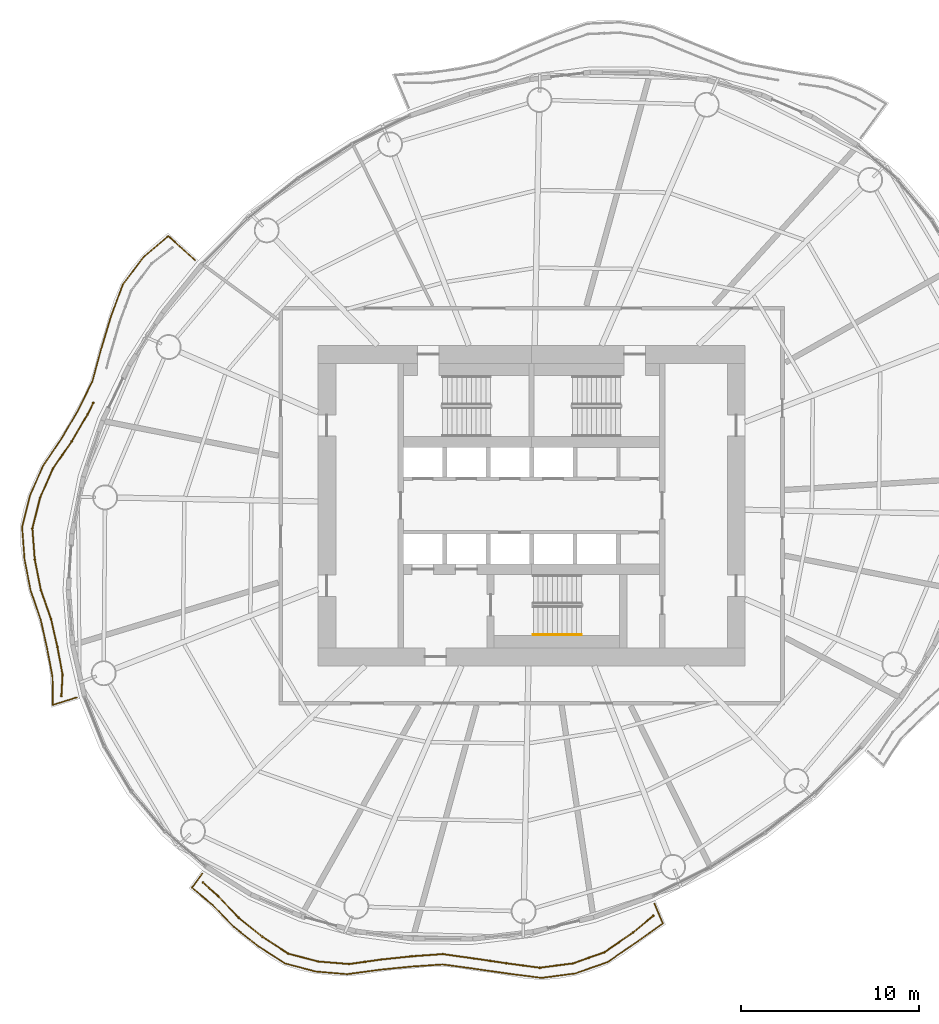
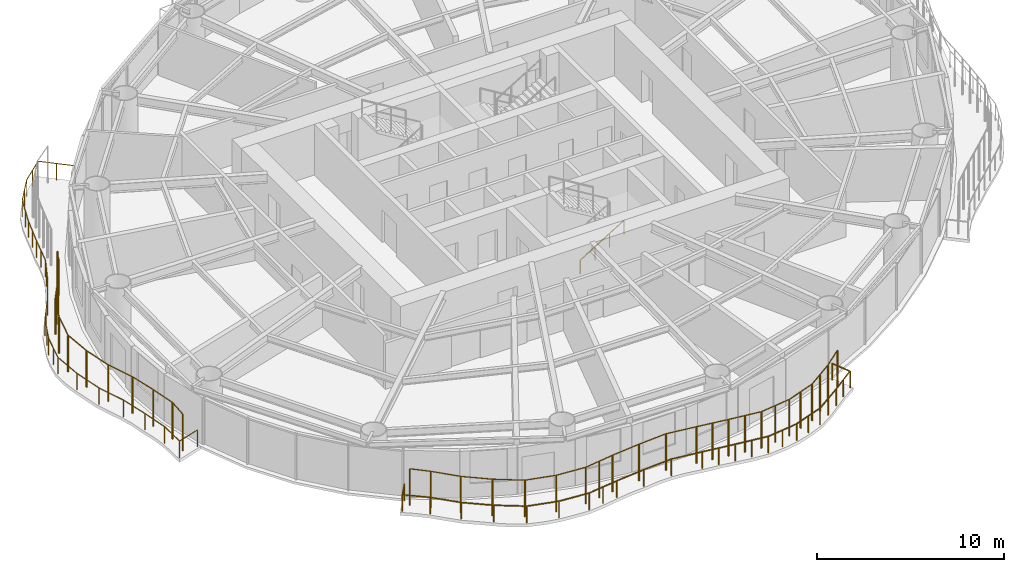
# One storey, part 12 of 15: 5 railings.
"""IFC4 building model written with IfcOpenShell, lengths in metres."""

from ifc_helpers import new_model, si_unit, direction, frame, origin, origin_2d, place, context, subcontext, project, spatial, circle, extrude, material, type_object, element, save


model = new_model("IFC4")

# Units and contexts
model_context = context("Model", 3, precision=1e-05, world=origin(), true_north=direction((0.0, 1.0)))
body_context = subcontext(model_context, "Body", "Model", "MODEL_VIEW")
ifc_project = project(units=[si_unit("LENGTHUNIT", "METRE"), si_unit("AREAUNIT", "SQUARE_METRE"), si_unit("VOLUMEUNIT", "CUBIC_METRE"), si_unit("PLANEANGLEUNIT", "RADIAN"), si_unit("MASSUNIT", "GRAM", prefix="KILO")], contexts=[model_context])

# Site, building, storey
site_placement = place(None, origin())
site = spatial("IfcSite", under=ifc_project, at=site_placement, CompositionType="ELEMENT")
building_placement = place(site_placement, origin())
building = spatial("IfcBuilding", under=site, at=building_placement, Name="Vermilion Reach Broadcast Tower", CompositionType="ELEMENT")
storey_placement = place(building_placement, frame((0.0, 0.0, 175.800048828125)))
storey = spatial("IfcBuildingStorey", under=building, at=storey_placement, Name="L42", CompositionType="ELEMENT", Elevation=175.800048828125)

# Railings
ifc_material_1 = material(Name="Terracotta baguette", Category="masonry")
railing_type_1 = type_object("IfcRailingType", Name="BAGUETTE SCREEN", PredefinedType="USERDEFINED", material=ifc_material_1)
railing_1_placement = place(storey_placement, frame((-30.626220703125, 5.77392578125, 0.0)))
element("IfcRailing", 1, at=railing_1_placement, inside=storey, type_object=railing_type_1, Name="Baguette screen L42 group 2 part 2", ObjectType="BAGUETTE SCREEN", PredefinedType="USERDEFINED", context=body_context, shape_type="SweptSolid", body=[
    extrude(circle(Radius=0.030029296875, at=origin_2d()), frame((0.0, 0.0, 2.369873046875), z_axis=(-0.445173471016, -0.895444348189, 0.0), x_axis=(0.895444348189, -0.445173471016, 0.0)), (0.0, 0.0, 1.0), 0.718505859375),
    extrude(circle(Radius=0.030029296875, at=origin_2d()), frame((-0.31982421875, -0.643310546875, 2.369873046875), z_axis=(-0.505943228923, -0.862566779506, 0.0), x_axis=(0.862566779506, -0.505943228923, 0.0)), (0.0, 0.0, 1.0), 1.76416015625),
    extrude(circle(Radius=0.030029296875, at=origin_2d()), frame((-1.21240234375, -2.1650390625, 2.369873046875), z_axis=(-0.567717583089, -0.823223387576, 0.0), x_axis=(0.823223387576, -0.567717583089, 0.0)), (0.0, 0.0, 1.0), 1.855712890625),
    extrude(circle(Radius=0.030029296875, at=origin_2d()), frame((-2.265869140625, -3.692626953125, 2.369873046875), z_axis=(-0.403215582316, -0.915105018114, 0.0), x_axis=(0.915105018114, -0.403215582316, 0.0)), (0.0, 0.0, 1.0), 1.78369140625),
    extrude(circle(Radius=0.030029296875, at=origin_2d()), frame((-2.985107421875, -5.324951171875, 2.369873046875), z_axis=(-0.245211525073, -0.969469601365, 0.0), x_axis=(0.969469601365, -0.245211525073, 0.0)), (0.0, 0.0, 1.0), 1.78125),
    extrude(circle(Radius=0.030029296875, at=origin_2d()), frame((-3.421875, -7.0517578125, 2.369873046875), z_axis=(0.077377587131, -0.997001860083, 0.0), x_axis=(0.997001860083, 0.077377587131, 0.0)), (0.0, 0.0, 1.0), 1.75439453125),
    extrude(circle(Radius=0.030029296875, at=origin_2d()), frame((-3.2861328125, -8.80078125, 2.369873046875), z_axis=(0.195526905139, -0.980698337598, 0.0), x_axis=(0.980698337598, 0.195526905139, 0.0)), (0.0, 0.0, 1.0), 1.753173828125),
    extrude(circle(Radius=0.030029296875, at=origin_2d()), frame((-2.943359375, -10.52001953125, 2.369873046875), z_axis=(0.332178713226, -0.943216466396, 0.0), x_axis=(0.943216466396, 0.332178713226, 0.0)), (0.0, 0.0, 1.0), 1.71240234375),
    extrude(circle(Radius=0.030029296875, at=origin_2d()), frame((-2.37451171875, -12.13525390625, 2.369873046875), z_axis=(0.221238073039, -0.975219829084, 0.0), x_axis=(0.975219829084, 0.221238073039, 0.0)), (0.0, 0.0, 1.0), 1.62548828125),
    extrude(circle(Radius=0.030029296875, at=origin_2d()), frame((-2.014892578125, -13.720458984375, 2.369873046875), z_axis=(0.18434460649, -0.982861671884, 0.0), x_axis=(0.982861671884, 0.18434460649, 0.0)), (0.0, 0.0, 1.0), 1.577392578125),
    extrude(circle(Radius=0.030029296875, at=origin_2d()), frame((-1.72412109375, -15.270751953125, 2.369873046875), z_axis=(-0.05604147484, -0.998428441651, 0.0), x_axis=(0.998428441651, -0.05604147484, 0.0)), (0.0, 0.0, 1.0), 1.206787109375),
    extrude(circle(Radius=0.050048828125, at=origin_2d()), origin(), (0.0, 0.0, 1.0), 2.33984375),
    extrude(circle(Radius=0.050048828125, at=origin_2d()), frame((-0.31982421875, -0.643310546875, 0.0)), (0.0, 0.0, 1.0), 2.33984375),
    extrude(circle(Radius=0.050048828125, at=origin_2d()), frame((-1.21240234375, -2.1650390625, 0.0)), (0.0, 0.0, 1.0), 2.33984375),
    extrude(circle(Radius=0.050048828125, at=origin_2d()), frame((-1.7392578125, -2.9287109375, 0.0)), (0.0, 0.0, 1.0), 2.33984375),
    extrude(circle(Radius=0.050048828125, at=origin_2d()), frame((-2.265869140625, -3.692626953125, 0.0)), (0.0, 0.0, 1.0), 2.33984375),
    extrude(circle(Radius=0.050048828125, at=origin_2d()), frame((-2.985107421875, -5.324951171875, 0.0)), (0.0, 0.0, 1.0), 2.33984375),
    extrude(circle(Radius=0.050048828125, at=origin_2d()), frame((-3.421875, -7.0517578125, 0.0)), (0.0, 0.0, 1.0), 2.33984375),
    extrude(circle(Radius=0.050048828125, at=origin_2d()), frame((-3.2861328125, -8.80078125, 0.0)), (0.0, 0.0, 1.0), 2.33984375),
    extrude(circle(Radius=0.050048828125, at=origin_2d()), frame((-2.943359375, -10.52001953125, 0.0)), (0.0, 0.0, 1.0), 2.33984375),
    extrude(circle(Radius=0.050048828125, at=origin_2d()), frame((-2.37451171875, -12.13525390625, 0.0)), (0.0, 0.0, 1.0), 2.33984375),
    extrude(circle(Radius=0.050048828125, at=origin_2d()), frame((-2.014892578125, -13.720458984375, 0.0)), (0.0, 0.0, 1.0), 2.33984375),
    extrude(circle(Radius=0.050048828125, at=origin_2d()), frame((-1.72412109375, -15.270751953125, 0.0)), (0.0, 0.0, 1.0), 2.33984375),
    extrude(circle(Radius=0.050048828125, at=origin_2d()), frame((-1.791748046875, -16.4755859375, 0.0)), (0.0, 0.0, 1.0), 2.33984375),
])
railing_2_placement = place(storey_placement, frame((-24.460205078125, -21.176513671875, 0.0)))
element("IfcRailing", 2, at=railing_2_placement, inside=storey, type_object=railing_type_1, Name="Baguette screen L42 group 3", ObjectType="BAGUETTE SCREEN", PredefinedType="USERDEFINED", context=body_context, shape_type="SweptSolid", body=[
    extrude(circle(Radius=0.030029296875, at=origin_2d()), frame((0.0, 0.0, 2.369873046875), z_axis=(0.74305011559, -0.669235777377, 0.0), x_axis=(0.669235777377, 0.74305011559, 0.0)), (0.0, 0.0, 1.0), 1.144287109375),
    extrude(circle(Radius=0.030029296875, at=origin_2d()), frame((0.850341796875, -0.765869140625, 2.369873046875), z_axis=(0.689910078304, -0.723895077933, 0.0), x_axis=(0.723895077933, 0.689910078304, 0.0)), (0.0, 0.0, 1.0), 1.673828125),
    extrude(circle(Radius=0.030029296875, at=origin_2d()), frame((2.005126953125, -1.9775390625, 2.369873046875), z_axis=(0.779074416384, -0.626931458563, 0.0), x_axis=(0.626931458563, 0.779074416384, 0.0)), (0.0, 0.0, 1.0), 1.71533203125),
    extrude(circle(Radius=0.030029296875, at=origin_2d()), frame((3.341552734375, -3.052978515625, 2.369873046875), z_axis=(0.837981551277, -0.545698561221, 0.0), x_axis=(0.545698561221, 0.837981551277, 0.0)), (0.0, 0.0, 1.0), 1.727294921875),
    extrude(circle(Radius=0.030029296875, at=origin_2d()), frame((4.7890625, -3.99560546875, 2.369873046875), z_axis=(0.967214183925, -0.253962049163, 0.0), x_axis=(0.253962049163, 0.967214183925, 0.0)), (0.0, 0.0, 1.0), 1.741943359375),
    extrude(circle(Radius=0.030029296875, at=origin_2d()), frame((6.473876953125, -4.43798828125, 2.369873046875), z_axis=(0.996634099782, -0.081978479805, 0.0), x_axis=(0.081978479805, 0.996634099782, 0.0)), (0.0, 0.0, 1.0), 1.7421875),
    extrude(circle(Radius=0.030029296875, at=origin_2d()), frame((8.210205078125, -4.580810546875, 2.369873046875), z_axis=(0.990109651108, 0.140295683409, 0.0), x_axis=(-0.140295683409, 0.990109651108, 0.0)), (0.0, 0.0, 1.0), 1.822021484375),
    extrude(circle(Radius=0.030029296875, at=origin_2d()), frame((10.01416015625, -4.3251953125, 2.369873046875), z_axis=(0.994506990442, 0.104670177041, 0.0), x_axis=(-0.104670177041, 0.994506990442, 0.0)), (0.0, 0.0, 1.0), 1.739990234375),
    extrude(circle(Radius=0.030029296875, at=origin_2d()), frame((11.74462890625, -4.14306640625, 2.369873046875), z_axis=(0.997563072557, 0.069770454132, 0.0), x_axis=(-0.069770454132, 0.997563072557, 0.0)), (0.0, 0.0, 1.0), 1.739013671875),
    extrude(circle(Radius=0.030029296875, at=origin_2d()), frame((13.4794921875, -4.021728515625, 2.369873046875), z_axis=(0.990376095042, -0.138402277327, 0.0), x_axis=(0.138402277327, 0.990376095042, 0.0)), (0.0, 0.0, 1.0), 1.755126953125),
    extrude(circle(Radius=0.030029296875, at=origin_2d()), frame((15.2177734375, -4.2646484375, 2.369873046875), z_axis=(0.989150815738, -0.146903586496, 0.0), x_axis=(0.146903586496, 0.989150815738, 0.0)), (0.0, 0.0, 1.0), 1.8447265625),
    extrude(circle(Radius=0.030029296875, at=origin_2d()), frame((17.04248046875, -4.53564453125, 2.369873046875), z_axis=(0.991091123923, -0.133185525044, 0.0), x_axis=(0.133185525044, 0.991091123923, 0.0)), (0.0, 0.0, 1.0), 1.8935546875),
    extrude(circle(Radius=0.030029296875, at=origin_2d()), frame((18.919189453125, -4.787841796875, 2.369873046875), z_axis=(0.991577214898, 0.129516898107, 0.0), x_axis=(-0.129516898107, 0.991577214898, 0.0)), (0.0, 0.0, 1.0), 1.87939453125),
    extrude(circle(Radius=0.030029296875, at=origin_2d()), frame((20.78271484375, -4.54443359375, 2.369873046875), z_axis=(0.942855694426, 0.33320134977, 0.0), x_axis=(-0.33320134977, 0.942855694426, 0.0)), (0.0, 0.0, 1.0), 1.875732421875),
    extrude(circle(Radius=0.030029296875, at=origin_2d()), frame((22.55126953125, -3.91943359375, 2.369873046875), z_axis=(0.824172990807, 0.566338133295, 0.0), x_axis=(-0.566338133295, 0.824172990807, 0.0)), (0.0, 0.0, 1.0), 1.956298828125),
    extrude(circle(Radius=0.030029296875, at=origin_2d()), frame((24.16357421875, -2.8115234375, 2.369873046875), z_axis=(0.769442147425, 0.638716511267, 0.0), x_axis=(-0.638716511267, 0.769442147425, 0.0)), (0.0, 0.0, 1.0), 1.4736328125),
    extrude(circle(Radius=0.050048828125, at=origin_2d()), origin(), (0.0, 0.0, 1.0), 2.33984375),
    extrude(circle(Radius=0.050048828125, at=origin_2d()), frame((0.850341796875, -0.765869140625, 0.0)), (0.0, 0.0, 1.0), 2.33984375),
    extrude(circle(Radius=0.050048828125, at=origin_2d()), frame((2.005126953125, -1.9775390625, 0.0)), (0.0, 0.0, 1.0), 2.33984375),
    extrude(circle(Radius=0.050048828125, at=origin_2d()), frame((3.341552734375, -3.052978515625, 0.0)), (0.0, 0.0, 1.0), 2.33984375),
    extrude(circle(Radius=0.050048828125, at=origin_2d()), frame((4.7890625, -3.99560546875, 0.0)), (0.0, 0.0, 1.0), 2.33984375),
    extrude(circle(Radius=0.050048828125, at=origin_2d()), frame((6.473876953125, -4.43798828125, 0.0)), (0.0, 0.0, 1.0), 2.33984375),
    extrude(circle(Radius=0.050048828125, at=origin_2d()), frame((8.210205078125, -4.580810546875, 0.0)), (0.0, 0.0, 1.0), 2.33984375),
    extrude(circle(Radius=0.050048828125, at=origin_2d()), frame((9.1123046875, -4.453125, 0.0)), (0.0, 0.0, 1.0), 2.33984375),
    extrude(circle(Radius=0.050048828125, at=origin_2d()), frame((10.01416015625, -4.3251953125, 0.0)), (0.0, 0.0, 1.0), 2.33984375),
    extrude(circle(Radius=0.050048828125, at=origin_2d()), frame((11.74462890625, -4.14306640625, 0.0)), (0.0, 0.0, 1.0), 2.33984375),
    extrude(circle(Radius=0.050048828125, at=origin_2d()), frame((13.4794921875, -4.021728515625, 0.0)), (0.0, 0.0, 1.0), 2.33984375),
    extrude(circle(Radius=0.050048828125, at=origin_2d()), frame((15.2177734375, -4.2646484375, 0.0)), (0.0, 0.0, 1.0), 2.33984375),
    extrude(circle(Radius=0.050048828125, at=origin_2d()), frame((16.130126953125, -4.400146484375, 0.0)), (0.0, 0.0, 1.0), 2.33984375),
    extrude(circle(Radius=0.050048828125, at=origin_2d()), frame((17.04248046875, -4.53564453125, 0.0)), (0.0, 0.0, 1.0), 2.33984375),
    extrude(circle(Radius=0.050048828125, at=origin_2d()), frame((17.98095703125, -4.66162109375, 0.0)), (0.0, 0.0, 1.0), 2.33984375),
    extrude(circle(Radius=0.050048828125, at=origin_2d()), frame((18.919189453125, -4.787841796875, 0.0)), (0.0, 0.0, 1.0), 2.33984375),
    extrude(circle(Radius=0.050048828125, at=origin_2d()), frame((19.85107421875, -4.666015625, 0.0)), (0.0, 0.0, 1.0), 2.33984375),
    extrude(circle(Radius=0.050048828125, at=origin_2d()), frame((20.78271484375, -4.54443359375, 0.0)), (0.0, 0.0, 1.0), 2.33984375),
    extrude(circle(Radius=0.050048828125, at=origin_2d()), frame((21.6669921875, -4.23193359375, 0.0)), (0.0, 0.0, 1.0), 2.33984375),
    extrude(circle(Radius=0.050048828125, at=origin_2d()), frame((22.55126953125, -3.91943359375, 0.0)), (0.0, 0.0, 1.0), 2.33984375),
    extrude(circle(Radius=0.050048828125, at=origin_2d()), frame((23.357421875, -3.365478515625, 0.0)), (0.0, 0.0, 1.0), 2.33984375),
    extrude(circle(Radius=0.050048828125, at=origin_2d()), frame((24.16357421875, -2.8115234375, 0.0)), (0.0, 0.0, 1.0), 2.33984375),
    extrude(circle(Radius=0.050048828125, at=origin_2d()), frame((25.29736328125, -1.870361328125, 0.0)), (0.0, 0.0, 1.0), 2.33984375),
])
ifc_material_2 = material(Name="Stainless steel 316 balustrade", Category="steel")
railing_type_2 = type_object("IfcRailingType", Name="Balcony guard 1100", PredefinedType="BALUSTRADE", material=ifc_material_2)
railing_3_placement = place(storey_placement, frame((-24.908203125, 13.796142578125, 0.0)))
element("IfcRailing", 3, at=railing_3_placement, inside=storey, type_object=railing_type_2, Name="Balcony guard L42 group 2", PredefinedType="BALUSTRADE", context=body_context, shape_type="SweptSolid", body=[
    extrude(circle(Radius=0.02490234375, at=origin_2d()), frame((0.0, 0.0, 1.0751953125), z_axis=(-0.742243881337, 0.670129853549, 0.0), x_axis=(-0.670129853549, -0.742243881337, 0.0)), (0.0, 0.0, 1.0), 2.0244140625),
    extrude(circle(Radius=0.02490234375, at=origin_2d()), frame((-1.502685546875, 1.356689453125, 1.0751953125), z_axis=(-0.759407715637, -0.650615033203, 0.0), x_axis=(0.650615033203, -0.759407715637, 0.0)), (0.0, 0.0, 1.0), 1.824462890625),
    extrude(circle(Radius=0.02490234375, at=origin_2d()), frame((-2.88818359375, 0.169677734375, 1.0751953125), z_axis=(-0.603891719632, -0.797066365468, 0.0), x_axis=(0.797066365468, -0.603891719632, 0.0)), (0.0, 0.0, 1.0), 1.93359375),
    extrude(circle(Radius=0.02490234375, at=origin_2d()), frame((-4.055908203125, -1.37158203125, 1.0751953125), z_axis=(-0.3478245938, -0.93755962581, 0.0), x_axis=(0.93755962581, -0.3478245938, 0.0)), (0.0, 0.0, 1.0), 1.94775390625),
    extrude(circle(Radius=0.02490234375, at=origin_2d()), frame((-4.7333984375, -3.19775390625, 1.0751953125), z_axis=(-0.287313018984, -0.957836744504, 0.0), x_axis=(0.957836744504, -0.287313018984, 0.0)), (0.0, 0.0, 1.0), 1.92724609375),
    extrude(circle(Radius=0.02490234375, at=origin_2d()), frame((-5.287109375, -5.043701171875, 1.0751953125), z_axis=(-0.262224407027, -0.965006922441, 0.0), x_axis=(0.965006922441, -0.262224407027, 0.0)), (0.0, 0.0, 1.0), 1.850830078125),
    extrude(circle(Radius=0.02490234375, at=origin_2d()), frame((-5.7724609375, -6.829833984375, 1.0751953125), z_axis=(-0.444721637574, -0.895668836721, 0.0), x_axis=(0.895668836721, -0.444721637574, 0.0)), (0.0, 0.0, 1.0), 1.803955078125),
    extrude(circle(Radius=0.02490234375, at=origin_2d()), frame((-6.57470703125, -8.445556640625, 1.0751953125), z_axis=(-0.502934132646, -0.864324741182, 0.0), x_axis=(0.864324741182, -0.502934132646, 0.0)), (0.0, 0.0, 1.0), 1.799072265625),
    extrude(circle(Radius=0.02490234375, at=origin_2d()), frame((-7.4794921875, -10.00048828125, 1.0751953125), z_axis=(-0.562747809805, -0.826628636426, 0.0), x_axis=(0.826628636426, -0.562747809805, 0.0)), (0.0, 0.0, 1.0), 1.89111328125),
    extrude(circle(Radius=0.02490234375, at=origin_2d()), frame((-8.543701171875, -11.563720703125, 1.0751953125), z_axis=(-0.399819492191, -0.916593897898, 0.0), x_axis=(0.916593897898, -0.399819492191, 0.0)), (0.0, 0.0, 1.0), 1.8203125),
    extrude(circle(Radius=0.02490234375, at=origin_2d()), frame((-9.271484375, -13.232177734375, 1.0751953125), z_axis=(-0.243545269327, -0.969889530714, 0.0), x_axis=(0.969889530714, -0.243545269327, 0.0)), (0.0, 0.0, 1.0), 1.820556640625),
    extrude(circle(Radius=0.02490234375, at=origin_2d()), frame((-9.71484375, -14.997802734375, 1.0751953125), z_axis=(0.07353061151, -0.997292960554, 0.0), x_axis=(0.997292960554, 0.07353061151, 0.0)), (0.0, 0.0, 1.0), 1.79296875),
    extrude(circle(Radius=0.02490234375, at=origin_2d()), frame((-9.5830078125, -16.785888671875, 1.0751953125), z_axis=(0.190457886339, -0.98169536697, 0.0), x_axis=(0.98169536697, 0.190457886339, 0.0)), (0.0, 0.0, 1.0), 1.793212890625),
    extrude(circle(Radius=0.02490234375, at=origin_2d()), frame((-9.241455078125, -18.54638671875, 1.0751953125), z_axis=(0.325827472821, -0.945429245346, 0.0), x_axis=(0.945429245346, 0.325827472821, 0.0)), (0.0, 0.0, 1.0), 1.751953125),
    extrude(circle(Radius=0.02490234375, at=origin_2d()), frame((-8.670654296875, -20.20263671875, 1.0751953125), z_axis=(0.218464025954, -0.975845002736, 0.0), x_axis=(0.975845002736, 0.218464025954, 0.0)), (0.0, 0.0, 1.0), 1.66845703125),
    extrude(circle(Radius=0.02490234375, at=origin_2d()), frame((-8.30615234375, -21.830810546875, 1.0751953125), z_axis=(0.18454320844, -0.982824401518, 0.0), x_axis=(0.982824401518, 0.18454320844, 0.0)), (0.0, 0.0, 1.0), 1.62060546875),
    extrude(circle(Radius=0.02490234375, at=origin_2d()), frame((-8.007080078125, -23.423583984375, 1.0751953125), z_axis=(0.011665095199, -0.999931960462, 0.0), x_axis=(0.999931960462, 0.011665095199, 0.0)), (0.0, 0.0, 1.0), 1.569580078125),
    extrude(circle(Radius=0.02490234375, at=origin_2d()), frame((-7.98876953125, -24.9931640625, 1.0751953125), z_axis=(0.953966638059, 0.299912743093, 0.0), x_axis=(-0.299912743093, 0.953966638059, 0.0)), (0.0, 0.0, 1.0), 1.400146484375),
    extrude(circle(Radius=0.02490234375, at=origin_2d()), origin(), (0.0, 0.0, 1.0), 1.050048828125),
    extrude(circle(Radius=0.02490234375, at=origin_2d()), frame((-0.75146484375, 0.67822265625, 0.0)), (0.0, 0.0, 1.0), 1.050048828125),
    extrude(circle(Radius=0.02490234375, at=origin_2d()), frame((-1.502685546875, 1.356689453125, 0.0)), (0.0, 0.0, 1.0), 1.050048828125),
    extrude(circle(Radius=0.02490234375, at=origin_2d()), frame((-2.1953125, 0.76318359375, 0.0)), (0.0, 0.0, 1.0), 1.050048828125),
    extrude(circle(Radius=0.02490234375, at=origin_2d()), frame((-2.88818359375, 0.169677734375, 0.0)), (0.0, 0.0, 1.0), 1.050048828125),
    extrude(circle(Radius=0.02490234375, at=origin_2d()), frame((-3.47216796875, -0.60107421875, 0.0)), (0.0, 0.0, 1.0), 1.050048828125),
    extrude(circle(Radius=0.02490234375, at=origin_2d()), frame((-4.055908203125, -1.37158203125, 0.0)), (0.0, 0.0, 1.0), 1.050048828125),
    extrude(circle(Radius=0.02490234375, at=origin_2d()), frame((-4.39453125, -2.28466796875, 0.0)), (0.0, 0.0, 1.0), 1.050048828125),
    extrude(circle(Radius=0.02490234375, at=origin_2d()), frame((-4.7333984375, -3.19775390625, 0.0)), (0.0, 0.0, 1.0), 1.050048828125),
    extrude(circle(Radius=0.02490234375, at=origin_2d()), frame((-5.01025390625, -4.12060546875, 0.0)), (0.0, 0.0, 1.0), 1.050048828125),
    extrude(circle(Radius=0.02490234375, at=origin_2d()), frame((-5.287109375, -5.043701171875, 0.0)), (0.0, 0.0, 1.0), 1.050048828125),
    extrude(circle(Radius=0.02490234375, at=origin_2d()), frame((-5.52978515625, -5.936767578125, 0.0)), (0.0, 0.0, 1.0), 1.050048828125),
    extrude(circle(Radius=0.02490234375, at=origin_2d()), frame((-5.7724609375, -6.829833984375, 0.0)), (0.0, 0.0, 1.0), 1.050048828125),
    extrude(circle(Radius=0.02490234375, at=origin_2d()), frame((-6.173583984375, -7.6376953125, 0.0)), (0.0, 0.0, 1.0), 1.050048828125),
    extrude(circle(Radius=0.02490234375, at=origin_2d()), frame((-6.57470703125, -8.445556640625, 0.0)), (0.0, 0.0, 1.0), 1.050048828125),
    extrude(circle(Radius=0.02490234375, at=origin_2d()), frame((-7.4794921875, -10.00048828125, 0.0)), (0.0, 0.0, 1.0), 1.050048828125),
    extrude(circle(Radius=0.02490234375, at=origin_2d()), frame((-8.01171875, -10.7822265625, 0.0)), (0.0, 0.0, 1.0), 1.050048828125),
    extrude(circle(Radius=0.02490234375, at=origin_2d()), frame((-8.543701171875, -11.563720703125, 0.0)), (0.0, 0.0, 1.0), 1.050048828125),
    extrude(circle(Radius=0.02490234375, at=origin_2d()), frame((-8.90771484375, -12.39794921875, 0.0)), (0.0, 0.0, 1.0), 1.050048828125),
    extrude(circle(Radius=0.02490234375, at=origin_2d()), frame((-9.271484375, -13.232177734375, 0.0)), (0.0, 0.0, 1.0), 1.050048828125),
    extrude(circle(Radius=0.02490234375, at=origin_2d()), frame((-9.4931640625, -14.114990234375, 0.0)), (0.0, 0.0, 1.0), 1.050048828125),
    extrude(circle(Radius=0.02490234375, at=origin_2d()), frame((-9.71484375, -14.997802734375, 0.0)), (0.0, 0.0, 1.0), 1.050048828125),
    extrude(circle(Radius=0.02490234375, at=origin_2d()), frame((-9.5830078125, -16.785888671875, 0.0)), (0.0, 0.0, 1.0), 1.050048828125),
    extrude(circle(Radius=0.02490234375, at=origin_2d()), frame((-9.241455078125, -18.54638671875, 0.0)), (0.0, 0.0, 1.0), 1.050048828125),
    extrude(circle(Radius=0.02490234375, at=origin_2d()), frame((-8.670654296875, -20.20263671875, 0.0)), (0.0, 0.0, 1.0), 1.050048828125),
    extrude(circle(Radius=0.02490234375, at=origin_2d()), frame((-8.30615234375, -21.830810546875, 0.0)), (0.0, 0.0, 1.0), 1.050048828125),
    extrude(circle(Radius=0.02490234375, at=origin_2d()), frame((-8.007080078125, -23.423583984375, 0.0)), (0.0, 0.0, 1.0), 1.050048828125),
    extrude(circle(Radius=0.02490234375, at=origin_2d()), frame((-7.98876953125, -24.9931640625, 0.0)), (0.0, 0.0, 1.0), 1.050048828125),
    extrude(circle(Radius=0.02490234375, at=origin_2d()), frame((-6.653076171875, -24.5732421875, 0.0)), (0.0, 0.0, 1.0), 1.050048828125),
])
railing_4_placement = place(storey_placement, frame((-24.49755859375, -20.6728515625, 0.0)))
element("IfcRailing", 4, at=railing_4_placement, inside=storey, type_object=railing_type_2, Name="Balcony guard L42 group 3", PredefinedType="BALUSTRADE", context=body_context, shape_type="SweptSolid", body=[
    extrude(circle(Radius=0.02490234375, at=origin_2d()), frame((0.0, 0.0, 1.0751953125), z_axis=(-0.59346016157, -0.804863365192, 0.0), x_axis=(0.804863365192, -0.59346016157, 0.0)), (0.0, 0.0, 1.0), 0.988525390625),
    extrude(circle(Radius=0.02490234375, at=origin_2d()), frame((-0.586669921875, -0.795654296875, 1.0751953125), z_axis=(0.770448906213, -0.637501751303, 0.0), x_axis=(0.637501751303, 0.770448906213, 0.0)), (0.0, 0.0, 1.0), 1.514892578125),
    extrude(circle(Radius=0.02490234375, at=origin_2d()), frame((0.58056640625, -1.761474609375, 1.0751953125), z_axis=(0.694977950764, -0.719031047975, 0.0), x_axis=(0.719031047975, 0.694977950764, 0.0)), (0.0, 0.0, 1.0), 1.71533203125),
    extrude(circle(Radius=0.02490234375, at=origin_2d()), frame((1.772705078125, -2.994873046875, 1.0751953125), z_axis=(0.782641043599, -0.62247329009, 0.0), x_axis=(0.62247329009, 0.782641043599, 0.0)), (0.0, 0.0, 1.0), 1.757568359375),
    extrude(circle(Radius=0.02490234375, at=origin_2d()), frame((3.148193359375, -4.0888671875, 1.0751953125), z_axis=(0.840513735153, -0.541790237102, 0.0), x_axis=(0.541790237102, 0.840513735153, 0.0)), (0.0, 0.0, 1.0), 1.767822265625),
    extrude(circle(Radius=0.02490234375, at=origin_2d()), frame((4.634033203125, -5.046630859375, 1.0751953125), z_axis=(0.966962720769, -0.254917823315, 0.0), x_axis=(0.254917823315, 0.966962720769, 0.0)), (0.0, 0.0, 1.0), 1.783203125),
    extrude(circle(Radius=0.02490234375, at=origin_2d()), frame((6.3583984375, -5.501220703125, 1.0751953125), z_axis=(0.996357971721, -0.085268940343, 0.0), x_axis=(0.085268940343, 0.996357971721, 0.0)), (0.0, 0.0, 1.0), 1.781005859375),
    extrude(circle(Radius=0.02490234375, at=origin_2d()), frame((8.1328125, -5.653076171875, 1.0751953125), z_axis=(0.9909726388, 0.134064272455, 0.0), x_axis=(-0.134064272455, 0.9909726388, 0.0)), (0.0, 0.0, 1.0), 1.859375),
    extrude(circle(Radius=0.02490234375, at=origin_2d()), frame((9.975341796875, -5.40380859375, 1.0751953125), z_axis=(0.994941490816, 0.100456109087, 0.0), x_axis=(-0.100456109087, 0.994941490816, 0.0)), (0.0, 0.0, 1.0), 1.776611328125),
    extrude(circle(Radius=0.02490234375, at=origin_2d()), frame((11.742919921875, -5.225341796875, 1.0751953125), z_axis=(0.997719597376, 0.067495222143, 0.0), x_axis=(-0.067495222143, 0.997719597376, 0.0)), (0.0, 0.0, 1.0), 1.776123046875),
    extrude(circle(Radius=0.02490234375, at=origin_2d()), frame((13.514892578125, -5.10546875, 1.0751953125), z_axis=(0.99082684852, -0.135137545676, 0.0), x_axis=(0.135137545676, 0.99082684852, 0.0)), (0.0, 0.0, 1.0), 1.790283203125),
    extrude(circle(Radius=0.02490234375, at=origin_2d()), frame((15.288818359375, -5.347412109375, 1.0751953125), z_axis=(0.989790359846, -0.142530851241, 0.0), x_axis=(0.142530851241, 0.989790359846, 0.0)), (0.0, 0.0, 1.0), 1.879150390625),
    extrude(circle(Radius=0.02490234375, at=origin_2d()), frame((17.148681640625, -5.615234375, 1.0751953125), z_axis=(0.991738378587, -0.128276998866, 0.0), x_axis=(0.128276998866, 0.991738378587, 0.0)), (0.0, 0.0, 1.0), 1.926025390625),
    extrude(circle(Radius=0.02490234375, at=origin_2d()), frame((19.058837890625, -5.8623046875, 1.0751953125), z_axis=(0.991408628631, 0.130801112672, 0.0), x_axis=(-0.130801112672, 0.991408628631, 0.0)), (0.0, 0.0, 1.0), 1.9130859375),
    extrude(circle(Radius=0.02490234375, at=origin_2d()), frame((20.95556640625, -5.612060546875, 1.0751953125), z_axis=(0.94328049004, 0.331996863102, 0.0), x_axis=(-0.331996863102, 0.94328049004, 0.0)), (0.0, 0.0, 1.0), 1.908203125),
    extrude(circle(Radius=0.02490234375, at=origin_2d()), frame((22.755615234375, -4.978515625, 1.0751953125), z_axis=(0.826741439579, 0.562582075863, 0.0), x_axis=(-0.562582075863, 0.826741439579, 0.0)), (0.0, 0.0, 1.0), 1.988037109375),
    extrude(circle(Radius=0.02490234375, at=origin_2d()), frame((24.399169921875, -3.860107421875, 1.0751953125), z_axis=(0.810335645004, 0.585965990853, 0.0), x_axis=(-0.585965990853, 0.810335645004, 0.0)), (0.0, 0.0, 1.0), 1.818359375),
    extrude(circle(Radius=0.02490234375, at=origin_2d()), frame((25.87255859375, -2.794677734375, 1.0751953125), z_axis=(-0.392567298706, 0.91972328229, 0.0), x_axis=(-0.91972328229, -0.392567298706, 0.0)), (0.0, 0.0, 1.0), 1.198974609375),
    extrude(circle(Radius=0.02490234375, at=origin_2d()), origin(), (0.0, 0.0, 1.0), 1.050048828125),
    extrude(circle(Radius=0.02490234375, at=origin_2d()), frame((-0.586669921875, -0.795654296875, 0.0)), (0.0, 0.0, 1.0), 1.050048828125),
    extrude(circle(Radius=0.02490234375, at=origin_2d()), frame((0.58056640625, -1.761474609375, 0.0)), (0.0, 0.0, 1.0), 1.050048828125),
    extrude(circle(Radius=0.02490234375, at=origin_2d()), frame((1.772705078125, -2.994873046875, 0.0)), (0.0, 0.0, 1.0), 1.050048828125),
    extrude(circle(Radius=0.02490234375, at=origin_2d()), frame((3.148193359375, -4.0888671875, 0.0)), (0.0, 0.0, 1.0), 1.050048828125),
    extrude(circle(Radius=0.02490234375, at=origin_2d()), frame((4.634033203125, -5.046630859375, 0.0)), (0.0, 0.0, 1.0), 1.050048828125),
    extrude(circle(Radius=0.02490234375, at=origin_2d()), frame((6.3583984375, -5.501220703125, 0.0)), (0.0, 0.0, 1.0), 1.050048828125),
    extrude(circle(Radius=0.02490234375, at=origin_2d()), frame((8.1328125, -5.653076171875, 0.0)), (0.0, 0.0, 1.0), 1.050048828125),
    extrude(circle(Radius=0.02490234375, at=origin_2d()), frame((9.05419921875, -5.5283203125, 0.0)), (0.0, 0.0, 1.0), 1.050048828125),
    extrude(circle(Radius=0.02490234375, at=origin_2d()), frame((9.975341796875, -5.40380859375, 0.0)), (0.0, 0.0, 1.0), 1.050048828125),
    extrude(circle(Radius=0.02490234375, at=origin_2d()), frame((11.742919921875, -5.225341796875, 0.0)), (0.0, 0.0, 1.0), 1.050048828125),
    extrude(circle(Radius=0.02490234375, at=origin_2d()), frame((13.514892578125, -5.10546875, 0.0)), (0.0, 0.0, 1.0), 1.050048828125),
    extrude(circle(Radius=0.02490234375, at=origin_2d()), frame((15.288818359375, -5.347412109375, 0.0)), (0.0, 0.0, 1.0), 1.050048828125),
    extrude(circle(Radius=0.02490234375, at=origin_2d()), frame((16.21875, -5.4814453125, 0.0)), (0.0, 0.0, 1.0), 1.050048828125),
    extrude(circle(Radius=0.02490234375, at=origin_2d()), frame((17.148681640625, -5.615234375, 0.0)), (0.0, 0.0, 1.0), 1.050048828125),
    extrude(circle(Radius=0.02490234375, at=origin_2d()), frame((18.103759765625, -5.73876953125, 0.0)), (0.0, 0.0, 1.0), 1.050048828125),
    extrude(circle(Radius=0.02490234375, at=origin_2d()), frame((19.058837890625, -5.8623046875, 0.0)), (0.0, 0.0, 1.0), 1.050048828125),
    extrude(circle(Radius=0.02490234375, at=origin_2d()), frame((20.00732421875, -5.7373046875, 0.0)), (0.0, 0.0, 1.0), 1.050048828125),
    extrude(circle(Radius=0.02490234375, at=origin_2d()), frame((20.95556640625, -5.612060546875, 0.0)), (0.0, 0.0, 1.0), 1.050048828125),
    extrude(circle(Radius=0.02490234375, at=origin_2d()), frame((21.85546875, -5.29541015625, 0.0)), (0.0, 0.0, 1.0), 1.050048828125),
    extrude(circle(Radius=0.02490234375, at=origin_2d()), frame((22.755615234375, -4.978515625, 0.0)), (0.0, 0.0, 1.0), 1.050048828125),
    extrude(circle(Radius=0.02490234375, at=origin_2d()), frame((23.577392578125, -4.41943359375, 0.0)), (0.0, 0.0, 1.0), 1.050048828125),
    extrude(circle(Radius=0.02490234375, at=origin_2d()), frame((24.399169921875, -3.860107421875, 0.0)), (0.0, 0.0, 1.0), 1.050048828125),
    extrude(circle(Radius=0.02490234375, at=origin_2d()), frame((25.1357421875, -3.327392578125, 0.0)), (0.0, 0.0, 1.0), 1.050048828125),
    extrude(circle(Radius=0.02490234375, at=origin_2d()), frame((25.87255859375, -2.794677734375, 0.0)), (0.0, 0.0, 1.0), 1.050048828125),
    extrude(circle(Radius=0.02490234375, at=origin_2d()), frame((25.40185546875, -1.69189453125, 0.0)), (0.0, 0.0, 1.0), 1.050048828125),
])
ifc_material_3 = material(Name="Stainless steel", Category="steel")
railing_type_3 = type_object("IfcRailingType", Name="Stair handrail", PredefinedType="HANDRAIL", material=ifc_material_3)
railing_5_placement = place(storey_placement, frame((-5.89990234375, -7.25, 0.16357421875)))
element("IfcRailing", 5, at=railing_5_placement, inside=storey, type_object=railing_type_3, Name="L42 ST3 stair handrail 1", PredefinedType="HANDRAIL", context=body_context, shape_type="SweptSolid", body=[
    extrude(circle(Radius=0.02392578125, at=origin_2d()), frame((0.0, 0.0, 0.8759765625), z_axis=(0.855178096276, 0.0, 0.518334277904), x_axis=(0.0, 1.0, 0.0)), (0.0, 0.0, 1.0), 3.1572265625),
    extrude(circle(Radius=0.02099609375, at=origin_2d()), origin(), (0.0, 0.0, 1.0), 0.851806640625),
    extrude(circle(Radius=0.02099609375, at=origin_2d()), frame((0.89990234375, 0.0, 0.54541015625)), (0.0, 0.0, 1.0), 0.851806640625),
    extrude(circle(Radius=0.02099609375, at=origin_2d()), frame((1.800048828125, 0.0, 1.091064453125)), (0.0, 0.0, 1.0), 0.851806640625),
    extrude(circle(Radius=0.02099609375, at=origin_2d()), frame((2.699951171875, 0.0, 1.636474609375)), (0.0, 0.0, 1.0), 0.851806640625),
])

save(model, "model.ifc")
